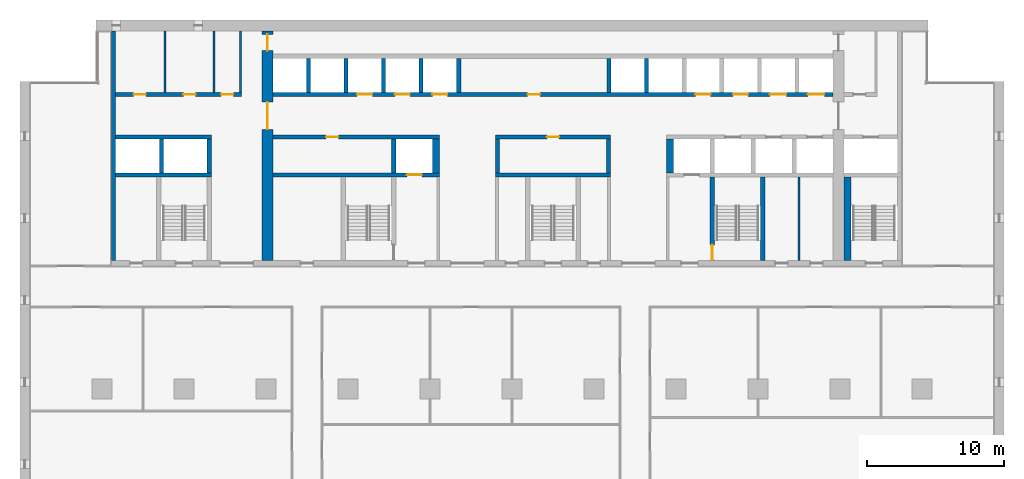
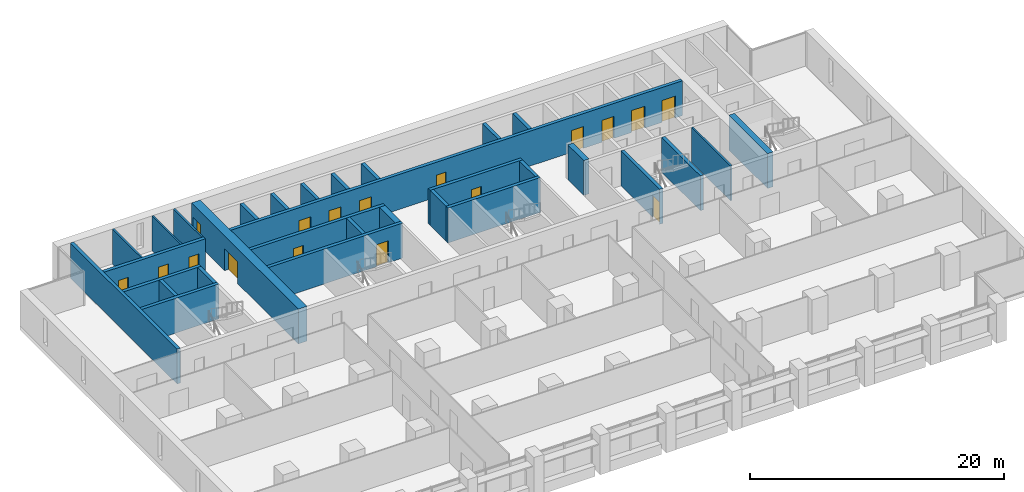
# One storey, part 10 of 17: 31 walls, 17 doors, 17 openings.
"""IFC4 building model written with IfcOpenShell, lengths in metres."""

from ifc_helpers import new_model, si_unit, direction, frame, frame_2d, origin, place, context, subcontext, project, spatial, rectangle, extrude, material, layer, layer_set, type_object, element, fill, save


model = new_model("IFC4")

# Units and contexts
model_context = context("Model", 3, precision=1e-05, world=origin(), true_north=direction((0.0, 1.0)))
body_context = subcontext(model_context, "Body", "Model", "MODEL_VIEW")
ifc_project = project(units=[si_unit("LENGTHUNIT", "METRE"), si_unit("AREAUNIT", "SQUARE_METRE"), si_unit("VOLUMEUNIT", "CUBIC_METRE"), si_unit("PLANEANGLEUNIT", "RADIAN"), si_unit("MASSUNIT", "GRAM", prefix="KILO")], contexts=[model_context])

# Site, building, storey
site_placement = place(None, origin())
site = spatial("IfcSite", under=ifc_project, at=site_placement, CompositionType="ELEMENT")
building_placement = place(site_placement, origin())
building = spatial("IfcBuilding", under=site, at=building_placement, Name="Calvaro Tower", CompositionType="ELEMENT")
storey_placement = place(building_placement, frame((0.0, 0.0, 98.75)))
storey = spatial("IfcBuildingStorey", under=building, at=storey_placement, Name="L24", CompositionType="ELEMENT", Elevation=98.75)

# Walls
ifc_material_1 = material(Name="Blockwork partition", Category="masonry")
ifc_layer_1 = layer(ifc_material_1, 0.14990234375)
ifc_layer_set_1 = layer_set([ifc_layer_1], Name="Blockwork partition")
wall_type_1 = type_object("IfcWallType", Name="Core partition 150 EI 60", PredefinedType="PARTITIONING", material=ifc_layer_set_1)
wall_1_placement = place(storey_placement, frame((57.0, 28.39990234375, 0.0), z_axis=(0.0, 0.0, 1.0), x_axis=(0.0, 1.0, 0.0)))
element("IfcWall", 1, at=wall_1_placement, inside=storey, type_object=wall_type_1, Name="Core partition", PredefinedType="PARTITIONING", context=body_context, shape_type="SweptSolid", body=[
    extrude(rectangle(XDim=6.10009765625, YDim=0.14990234375, at=frame_2d((3.050048828125, 0.0))), origin(), (0.0, 0.0, 1.0), 3.35009765625),
])
for number, where, z_axis, x_axis, name in (
    (2, (10.60009765625, 40.699951171875, 0.0), (0.0, 0.0, 1.0), (0.0, 1.0, 0.0), "Core partition"),
    (3, (14.199951171875, 40.699951171875, 0.0), (0.0, 0.0, 1.0), (0.0, 1.0, 0.0), "Core partition"),
):
    element("IfcWall", number, at=place(storey_placement, frame(where, z_axis=z_axis, x_axis=x_axis)), inside=storey, type_object=wall_type_1, Name=name, PredefinedType="PARTITIONING", context=body_context, shape_type="SweptSolid", body=[
        extrude(rectangle(XDim=4.5, YDim=0.14990234375, at=frame_2d((2.25, 0.0))), origin(), (0.0, 0.0, 1.0), 3.35009765625),
    ])
ifc_material_2 = material(Name="Blockwork partition", Category="masonry")
ifc_layer_2 = layer(ifc_material_2, 0.14990234375)
ifc_layer_set_2 = layer_set([ifc_layer_2], Name="Blockwork partition")
wall_type_2 = type_object("IfcWallType", Name="Core partition 150 REI 120", PredefinedType="PARTITIONING", material=ifc_layer_set_2)
wall_2_placement = place(storey_placement, frame((16.125, 40.699951171875, 0.0), z_axis=(0.0, 0.0, 1.0), x_axis=(0.0, 1.0, 0.0)))
element("IfcWall", 4, at=wall_2_placement, inside=storey, type_object=wall_type_2, Name="Core partition", PredefinedType="PARTITIONING", context=body_context, shape_type="SweptSolid", body=[
    extrude(rectangle(XDim=4.5, YDim=0.14990234375, at=frame_2d((2.25, 0.0))), origin(), (0.0, 0.0, 1.0), 3.35009765625),
])

# Wall, openings, doors
ifc_material_3 = material(Name="Blockwork partition", Category="masonry")
ifc_layer_3 = layer(ifc_material_3, 0.300048828125)
ifc_layer_set_3 = layer_set([ifc_layer_3], Name="Blockwork partition")
wall_type_3 = type_object("IfcWallType", Name="Core partition 300 REI 120", PredefinedType="PARTITIONING", material=ifc_layer_set_3)
wall_3_placement = place(storey_placement, frame((7.0, 40.550048828125, 0.0), z_axis=(0.0, 0.0, 1.0), x_axis=(1.0, 0.0, 0.0)))
wall_3 = element("IfcWall", 5, at=wall_3_placement, inside=storey, type_object=wall_type_3, Name="Core partition", PredefinedType="PARTITIONING", context=body_context, shape_type="SweptSolid", body=[
    extrude(rectangle(XDim=9.199951171875, YDim=0.300048828125, at=frame_2d((4.60009765625, 0.0))), origin(), (0.0, 0.0, 1.0), 3.35009765625),
])
opening_1_placement = place(wall_3_placement, frame((1.3125, 0.0, 0.0)))
opening_1 = element("IfcOpeningElement", 6, at=opening_1_placement, cuts=wall_3, Name="Opening RD9", PredefinedType="OPENING", context=body_context, shape_type="SweptSolid", body=[
    extrude(rectangle(XDim=0.89990234375, YDim=2.10009765625, at=frame_2d((0.449951171875, 1.050048828125))), frame((0.0, 0.159912109375, 0.0), z_axis=(0.0, -1.0, 0.0), x_axis=(1.0, 0.0, 0.0)), (0.0, 0.0, 1.0), 0.320068359375),
])
opening_2_placement = place(wall_3_placement, frame((4.949951171875, 0.0, 0.0)))
opening_2 = element("IfcOpeningElement", 7, at=opening_2_placement, cuts=wall_3, Name="Opening RD9", PredefinedType="OPENING", context=body_context, shape_type="SweptSolid", body=[
    extrude(rectangle(XDim=0.89990234375, YDim=2.10009765625, at=frame_2d((0.449951171875, 1.050048828125))), frame((0.0, 0.159912109375, 0.0), z_axis=(0.0, -1.0, 0.0), x_axis=(1.0, 0.0, 0.0)), (0.0, 0.0, 1.0), 0.320068359375),
])
opening_3_placement = place(wall_3_placement, frame((7.71240234375, 0.0, 0.0)))
opening_3 = element("IfcOpeningElement", 8, at=opening_3_placement, cuts=wall_3, Name="Opening RD9", PredefinedType="OPENING", context=body_context, shape_type="SweptSolid", body=[
    extrude(rectangle(XDim=0.89990234375, YDim=2.10009765625, at=frame_2d((0.449951171875, 1.050048828125))), frame((0.0, 0.159912109375, 0.0), z_axis=(0.0, -1.0, 0.0), x_axis=(1.0, 0.0, 0.0)), (0.0, 0.0, 1.0), 0.320068359375),
])
ifc_material_4 = material(Name="Steel door set", Category="steel")
door_type_1 = type_object("IfcDoorType", Name="Room door 900", OperationType="SINGLE_SWING_LEFT", PredefinedType="DOOR", material=ifc_material_4)
door_1_placement = place(opening_1_placement, origin())
door_1 = element("IfcDoor", 9, at=door_1_placement, inside=storey, type_object=door_type_1, Name="Room door", OperationType="SINGLE_SWING_LEFT", OverallHeight=2.10009765625, OverallWidth=0.89990234375, PredefinedType="DOOR", context=body_context, shape_type="SweptSolid", body=[
    extrude(rectangle(XDim=0.89990234375, YDim=2.10009765625, at=frame_2d((0.449951171875, 1.050048828125))), frame((0.0, 0.02490234375, 0.0), z_axis=(0.0, -1.0, 0.0), x_axis=(1.0, 0.0, 0.0)), (0.0, 0.0, 1.0), 0.050048828125),
])
fill(opening_1, door_1)
door_2_placement = place(opening_2_placement, origin())
door_2 = element("IfcDoor", 10, at=door_2_placement, inside=storey, type_object=door_type_1, Name="Room door", OperationType="SINGLE_SWING_LEFT", OverallHeight=2.10009765625, OverallWidth=0.89990234375, PredefinedType="DOOR", context=body_context, shape_type="SweptSolid", body=[
    extrude(rectangle(XDim=0.89990234375, YDim=2.10009765625, at=frame_2d((0.449951171875, 1.050048828125))), frame((0.0, 0.02490234375, 0.0), z_axis=(0.0, -1.0, 0.0), x_axis=(1.0, 0.0, 0.0)), (0.0, 0.0, 1.0), 0.050048828125),
])
fill(opening_2, door_2)
door_3_placement = place(opening_3_placement, origin())
door_3 = element("IfcDoor", 11, at=door_3_placement, inside=storey, type_object=door_type_1, Name="Room door", OperationType="SINGLE_SWING_LEFT", OverallHeight=2.10009765625, OverallWidth=0.89990234375, PredefinedType="DOOR", context=body_context, shape_type="SweptSolid", body=[
    extrude(rectangle(XDim=0.89990234375, YDim=2.10009765625, at=frame_2d((0.449951171875, 1.050048828125))), frame((0.0, 0.02490234375, 0.0), z_axis=(0.0, -1.0, 0.0), x_axis=(1.0, 0.0, 0.0)), (0.0, 0.0, 1.0), 0.050048828125),
])
fill(opening_3, door_3)

# Wall
ifc_material_5 = material(Name="Concrete C60/75", Category="concrete")
ifc_layer_4 = layer(ifc_material_5, 0.300048828125)
ifc_layer_set_4 = layer_set([ifc_layer_4], Name="Concrete C60/75")
wall_type_4 = type_object("IfcWallType", Name="Core wall C60/75 300", PredefinedType="SHEAR", material=ifc_layer_set_4)
wall_4_placement = place(storey_placement, frame((6.85009765625, 28.39990234375, 0.0), z_axis=(0.0, 0.0, 1.0), x_axis=(0.0, 1.0, 0.0)))
element("IfcWall", 12, at=wall_4_placement, inside=storey, type_object=wall_type_4, Name="Core wall, boundary", PredefinedType="SHEAR", context=body_context, shape_type="SweptSolid", body=[
    extrude(rectangle(XDim=16.800048828125, YDim=0.300048828125, at=frame_2d((8.39990234375, 0.0))), origin(), (0.0, 0.0, 1.0), 3.35009765625),
])

# Wall, opening, door
wall_5_placement = place(storey_placement, frame((50.64990234375, 34.5, 0.0), z_axis=(0.0, 0.0, 1.0), x_axis=(0.0, -1.0, 0.0)))
wall_5 = element("IfcWall", 13, at=wall_5_placement, inside=storey, type_object=wall_type_4, Name="Core wall, stair enclosure", PredefinedType="SHEAR", context=body_context, shape_type="SweptSolid", body=[
    extrude(rectangle(XDim=6.10009765625, YDim=0.300048828125, at=frame_2d((3.050048828125, 0.0))), origin(), (0.0, 0.0, 1.0), 3.35009765625),
])
opening_4_placement = place(wall_5_placement, frame((4.949951171875, 0.0, 0.0)))
opening_4 = element("IfcOpeningElement", 14, at=opening_4_placement, cuts=wall_5, Name="Opening FD11D", PredefinedType="OPENING", context=body_context, shape_type="SweptSolid", body=[
    extrude(rectangle(XDim=1.10009765625, YDim=2.10009765625, at=frame_2d((0.550048828125, 1.050048828125))), frame((0.0, 0.159912109375, 0.0), z_axis=(0.0, -1.0, 0.0), x_axis=(1.0, 0.0, 0.0)), (0.0, 0.0, 1.0), 0.320068359375),
])
ifc_material_6 = material(Name="Steel door set", Category="steel")
door_type_2 = type_object("IfcDoorType", Name="Fire door 1100 FD30S", OperationType="SINGLE_SWING_LEFT", PredefinedType="DOOR", material=ifc_material_6)
door_4_placement = place(opening_4_placement, origin())
door_4 = element("IfcDoor", 15, at=door_4_placement, inside=storey, type_object=door_type_2, Name="Fire door", OperationType="SINGLE_SWING_RIGHT", OverallHeight=2.10009765625, OverallWidth=1.10009765625, PredefinedType="DOOR", context=body_context, shape_type="SweptSolid", body=[
    extrude(rectangle(XDim=1.10009765625, YDim=2.10009765625, at=frame_2d((0.550048828125, 1.050048828125))), frame((0.0, 0.02490234375, 0.0), z_axis=(0.0, -1.0, 0.0), x_axis=(1.0, 0.0, 0.0)), (0.0, 0.0, 1.0), 0.050048828125),
])
fill(opening_4, door_4)

# Walls
wall_6_placement = place(storey_placement, frame((54.35009765625, 28.39990234375, 0.0), z_axis=(0.0, 0.0, 1.0), x_axis=(0.0, 1.0, 0.0)))
element("IfcWall", 16, at=wall_6_placement, inside=storey, type_object=wall_type_4, Name="Core wall, stair enclosure", PredefinedType="SHEAR", context=body_context, shape_type="SweptSolid", body=[
    extrude(rectangle(XDim=6.10009765625, YDim=0.300048828125, at=frame_2d((3.050048828125, 0.0))), origin(), (0.0, 0.0, 1.0), 3.35009765625),
])
wall_7_placement = place(storey_placement, frame((7.0, 34.64990234375, 0.0), z_axis=(0.0, 0.0, 1.0), x_axis=(1.0, 0.0, 0.0)))
element("IfcWall", 17, at=wall_7_placement, inside=storey, type_object=wall_type_4, Name="Core wall, lift shaft", PredefinedType="SHEAR", context=body_context, shape_type="SweptSolid", body=[
    extrude(rectangle(XDim=7.0, YDim=0.300048828125, at=frame_2d((3.5, 0.0))), origin(), (0.0, 0.0, 1.0), 3.35009765625),
])

# Wall, opening, door
wall_8_placement = place(storey_placement, frame((18.5, 34.64990234375, 0.0), z_axis=(0.0, 0.0, 1.0), x_axis=(1.0, 0.0, 0.0)))
wall_8 = element("IfcWall", 18, at=wall_8_placement, inside=storey, type_object=wall_type_4, Name="Core wall, lift shaft", PredefinedType="SHEAR", context=body_context, shape_type="SweptSolid", body=[
    extrude(rectangle(XDim=12.199951171875, YDim=0.300048828125, at=frame_2d((6.10009765625, 0.0))), origin(), (0.0, 0.0, 1.0), 3.35009765625),
])
opening_5_placement = place(wall_8_placement, frame((9.800048828125, 0.0, 0.0)))
opening_5 = element("IfcOpeningElement", 19, at=opening_5_placement, cuts=wall_8, Name="Opening FF1", PredefinedType="OPENING", context=body_context, shape_type="SweptSolid", body=[
    extrude(rectangle(XDim=1.10009765625, YDim=2.10009765625, at=frame_2d((0.550048828125, 1.050048828125))), frame((0.0, 0.159912109375, 0.0), z_axis=(0.0, -1.0, 0.0), x_axis=(1.0, 0.0, 0.0)), (0.0, 0.0, 1.0), 0.320068359375),
])
ifc_material_7 = material(Name="Stainless steel", Category="steel")
door_type_3 = type_object("IfcDoorType", Name="Landing door 1100 E 60", OperationType="SLIDING_TO_LEFT", PredefinedType="DOOR", material=ifc_material_7)
door_5_placement = place(opening_5_placement, origin())
door_5 = element("IfcDoor", 20, at=door_5_placement, inside=storey, type_object=door_type_3, Name="Landing door FF1", OperationType="SLIDING_TO_LEFT", OverallHeight=2.10009765625, OverallWidth=1.10009765625, PredefinedType="DOOR", context=body_context, shape_type="SweptSolid", body=[
    extrude(rectangle(XDim=1.10009765625, YDim=2.10009765625, at=frame_2d((0.550048828125, 1.050048828125))), frame((0.0, 0.02490234375, 0.0), z_axis=(0.0, -1.0, 0.0), x_axis=(1.0, 0.0, 0.0)), (0.0, 0.0, 1.0), 0.050048828125),
])
fill(opening_5, door_5)

# Walls
wall_9_placement = place(storey_placement, frame((34.800048828125, 34.64990234375, 0.0), z_axis=(0.0, 0.0, 1.0), x_axis=(1.0, 0.0, 0.0)))
element("IfcWall", 21, at=wall_9_placement, inside=storey, type_object=wall_type_4, Name="Core wall, lift shaft", PredefinedType="SHEAR", context=body_context, shape_type="SweptSolid", body=[
    extrude(rectangle(XDim=8.39990234375, YDim=0.300048828125, at=frame_2d((4.199951171875, 0.0))), origin(), (0.0, 0.0, 1.0), 3.35009765625),
])
wall_10_placement = place(storey_placement, frame((7.0, 37.449951171875, 0.0), z_axis=(0.0, 0.0, 1.0), x_axis=(1.0, 0.0, 0.0)))
element("IfcWall", 22, at=wall_10_placement, inside=storey, type_object=wall_type_4, Name="Core wall, lift shaft", PredefinedType="SHEAR", context=body_context, shape_type="SweptSolid", body=[
    extrude(rectangle(XDim=7.0, YDim=0.300048828125, at=frame_2d((3.5, 0.0))), origin(), (0.0, 0.0, 1.0), 3.35009765625),
])

# Wall, opening, door
wall_11_placement = place(storey_placement, frame((30.699951171875, 37.449951171875, 0.0), z_axis=(0.0, 0.0, 1.0), x_axis=(-1.0, 0.0, 0.0)))
wall_11 = element("IfcWall", 23, at=wall_11_placement, inside=storey, type_object=wall_type_4, Name="Core wall, bay", PredefinedType="SHEAR", context=body_context, shape_type="SweptSolid", body=[
    extrude(rectangle(XDim=12.199951171875, YDim=0.300048828125, at=frame_2d((6.10009765625, 0.0))), origin(), (0.0, 0.0, 1.0), 3.35009765625),
])
opening_6_placement = place(wall_11_placement, frame((7.39990234375, 0.0, 0.0)))
opening_6 = element("IfcOpeningElement", 24, at=opening_6_placement, cuts=wall_11, Name="Opening RD9E", PredefinedType="OPENING", context=body_context, shape_type="SweptSolid", body=[
    extrude(rectangle(XDim=0.89990234375, YDim=2.10009765625, at=frame_2d((0.449951171875, 1.050048828125))), frame((0.0, 0.159912109375, 0.0), z_axis=(0.0, -1.0, 0.0), x_axis=(1.0, 0.0, 0.0)), (0.0, 0.0, 1.0), 0.320068359375),
])
ifc_material_8 = material(Name="Steel door set", Category="steel")
door_type_4 = type_object("IfcDoorType", Name="Room door 900 FD60", OperationType="SINGLE_SWING_LEFT", PredefinedType="DOOR", material=ifc_material_8)
door_6_placement = place(opening_6_placement, origin())
door_6 = element("IfcDoor", 25, at=door_6_placement, inside=storey, type_object=door_type_4, Name="Room door", OperationType="SINGLE_SWING_LEFT", OverallHeight=2.10009765625, OverallWidth=0.89990234375, PredefinedType="DOOR", context=body_context, shape_type="SweptSolid", body=[
    extrude(rectangle(XDim=0.89990234375, YDim=2.10009765625, at=frame_2d((0.449951171875, 1.050048828125))), frame((0.0, 0.02490234375, 0.0), z_axis=(0.0, -1.0, 0.0), x_axis=(1.0, 0.0, 0.0)), (0.0, 0.0, 1.0), 0.050048828125),
])
fill(opening_6, door_6)

wall_12_placement = place(storey_placement, frame((43.199951171875, 37.449951171875, 0.0), z_axis=(0.0, 0.0, 1.0), x_axis=(-1.0, 0.0, 0.0)))
wall_12 = element("IfcWall", 26, at=wall_12_placement, inside=storey, type_object=wall_type_4, Name="Core wall, bay", PredefinedType="SHEAR", context=body_context, shape_type="SweptSolid", body=[
    extrude(rectangle(XDim=8.39990234375, YDim=0.300048828125, at=frame_2d((4.199951171875, 0.0))), origin(), (0.0, 0.0, 1.0), 3.35009765625),
])
opening_7_placement = place(wall_12_placement, frame((3.75, 0.0, 0.0)))
opening_7 = element("IfcOpeningElement", 27, at=opening_7_placement, cuts=wall_12, Name="Opening RD9E", PredefinedType="OPENING", context=body_context, shape_type="SweptSolid", body=[
    extrude(rectangle(XDim=0.89990234375, YDim=2.10009765625, at=frame_2d((0.449951171875, 1.050048828125))), frame((0.0, 0.159912109375, 0.0), z_axis=(0.0, -1.0, 0.0), x_axis=(1.0, 0.0, 0.0)), (0.0, 0.0, 1.0), 0.320068359375),
])
door_7_placement = place(opening_7_placement, origin())
door_7 = element("IfcDoor", 28, at=door_7_placement, inside=storey, type_object=door_type_4, Name="Room door", OperationType="SINGLE_SWING_RIGHT", OverallHeight=2.10009765625, OverallWidth=0.89990234375, PredefinedType="DOOR", context=body_context, shape_type="SweptSolid", body=[
    extrude(rectangle(XDim=0.89990234375, YDim=2.10009765625, at=frame_2d((0.449951171875, 1.050048828125))), frame((0.0, 0.02490234375, 0.0), z_axis=(0.0, -1.0, 0.0), x_axis=(1.0, 0.0, 0.0)), (0.0, 0.0, 1.0), 0.050048828125),
])
fill(opening_7, door_7)

# Walls
for number, where, z_axis, x_axis, name in (
    (29, (27.35009765625, 34.800048828125, 0.0), (0.0, 0.0, 1.0), (0.0, 1.0, 0.0), "Core wall, lift shaft"),
    (30, (34.949951171875, 34.800048828125, 0.0), (0.0, 0.0, 1.0), (0.0, 1.0, 0.0), "Core wall, lift shaft"),
    (31, (43.050048828125, 34.800048828125, 0.0), (0.0, 0.0, 1.0), (0.0, 1.0, 0.0), "Core wall, lift shaft"),
    (32, (13.85009765625, 34.800048828125, 0.0), (0.0, 0.0, 1.0), (0.0, 1.0, 0.0), "Core wall, lift shaft"),
):
    element("IfcWall", number, at=place(storey_placement, frame(where, z_axis=z_axis, x_axis=x_axis)), inside=storey, type_object=wall_type_4, Name=name, PredefinedType="SHEAR", context=body_context, shape_type="SweptSolid", body=[
        extrude(rectangle(XDim=2.5, YDim=0.300048828125, at=frame_2d((1.25, 0.0))), origin(), (0.0, 0.0, 1.0), 3.35009765625),
    ])

# Wall, openings, doors
wall_13_placement = place(storey_placement, frame((18.5, 40.550048828125, 0.0), z_axis=(0.0, 0.0, 1.0), x_axis=(1.0, 0.0, 0.0)))
wall_13 = element("IfcWall", 33, at=wall_13_placement, inside=storey, type_object=wall_type_4, Name="Core wall, bay", PredefinedType="SHEAR", context=body_context, shape_type="SweptSolid", body=[
    extrude(rectangle(XDim=41.0, YDim=0.300048828125, at=frame_2d((20.5, 0.0))), origin(), (0.0, 0.0, 1.0), 3.35009765625),
])
opening_8_placement = place(wall_13_placement, frame((18.64990234375, 0.0, 0.0)))
opening_8 = element("IfcOpeningElement", 34, at=opening_8_placement, cuts=wall_13, Name="Opening RD9E", PredefinedType="OPENING", context=body_context, shape_type="SweptSolid", body=[
    extrude(rectangle(XDim=0.89990234375, YDim=2.10009765625, at=frame_2d((0.449951171875, 1.050048828125))), frame((0.0, 0.159912109375, 0.0), z_axis=(0.0, -1.0, 0.0), x_axis=(1.0, 0.0, 0.0)), (0.0, 0.0, 1.0), 0.320068359375),
])
opening_9_placement = place(wall_13_placement, frame((6.175048828125, 0.0, 0.0)))
opening_9 = element("IfcOpeningElement", 35, at=opening_9_placement, cuts=wall_13, Name="Opening MR4", PredefinedType="OPENING", context=body_context, shape_type="SweptSolid", body=[
    extrude(rectangle(XDim=1.10009765625, YDim=2.10009765625, at=frame_2d((0.550048828125, 1.050048828125))), frame((0.0, 0.159912109375, 0.0), z_axis=(0.0, -1.0, 0.0), x_axis=(1.0, 0.0, 0.0)), (0.0, 0.0, 1.0), 0.320068359375),
])
opening_10_placement = place(wall_13_placement, frame((8.925048828125, 0.0, 0.0)))
opening_10 = element("IfcOpeningElement", 36, at=opening_10_placement, cuts=wall_13, Name="Opening MR5", PredefinedType="OPENING", context=body_context, shape_type="SweptSolid", body=[
    extrude(rectangle(XDim=1.10009765625, YDim=2.10009765625, at=frame_2d((0.550048828125, 1.050048828125))), frame((0.0, 0.159912109375, 0.0), z_axis=(0.0, -1.0, 0.0), x_axis=(1.0, 0.0, 0.0)), (0.0, 0.0, 1.0), 0.320068359375),
])
opening_11_placement = place(wall_13_placement, frame((11.675048828125, 0.0, 0.0)))
opening_11 = element("IfcOpeningElement", 37, at=opening_11_placement, cuts=wall_13, Name="Opening MR6", PredefinedType="OPENING", context=body_context, shape_type="SweptSolid", body=[
    extrude(rectangle(XDim=1.10009765625, YDim=2.10009765625, at=frame_2d((0.550048828125, 1.050048828125))), frame((0.0, 0.159912109375, 0.0), z_axis=(0.0, -1.0, 0.0), x_axis=(1.0, 0.0, 0.0)), (0.0, 0.0, 1.0), 0.320068359375),
])
opening_12_placement = place(wall_13_placement, frame((30.925048828125, 0.0, 0.0)))
opening_12 = element("IfcOpeningElement", 38, at=opening_12_placement, cuts=wall_13, Name="Opening MR7", PredefinedType="OPENING", context=body_context, shape_type="SweptSolid", body=[
    extrude(rectangle(XDim=1.10009765625, YDim=2.10009765625, at=frame_2d((0.550048828125, 1.050048828125))), frame((0.0, 0.159912109375, 0.0), z_axis=(0.0, -1.0, 0.0), x_axis=(1.0, 0.0, 0.0)), (0.0, 0.0, 1.0), 0.320068359375),
])
opening_13_placement = place(wall_13_placement, frame((33.675048828125, 0.0, 0.0)))
opening_13 = element("IfcOpeningElement", 39, at=opening_13_placement, cuts=wall_13, Name="Opening MR8", PredefinedType="OPENING", context=body_context, shape_type="SweptSolid", body=[
    extrude(rectangle(XDim=1.10009765625, YDim=2.10009765625, at=frame_2d((0.550048828125, 1.050048828125))), frame((0.0, 0.159912109375, 0.0), z_axis=(0.0, -1.0, 0.0), x_axis=(1.0, 0.0, 0.0)), (0.0, 0.0, 1.0), 0.320068359375),
])
opening_14_placement = place(wall_13_placement, frame((36.375, 0.0, 0.0)))
opening_14 = element("IfcOpeningElement", 40, at=opening_14_placement, cuts=wall_13, Name="Opening SV1", PredefinedType="OPENING", context=body_context, shape_type="SweptSolid", body=[
    extrude(rectangle(XDim=1.199951171875, YDim=2.10009765625, at=frame_2d((0.60009765625, 1.050048828125))), frame((0.0, 0.159912109375, 0.0), z_axis=(0.0, -1.0, 0.0), x_axis=(1.0, 0.0, 0.0)), (0.0, 0.0, 1.0), 0.320068359375),
])
opening_15_placement = place(wall_13_placement, frame((39.14990234375, 0.0, 0.0)))
opening_15 = element("IfcOpeningElement", 41, at=opening_15_placement, cuts=wall_13, Name="Opening SV2", PredefinedType="OPENING", context=body_context, shape_type="SweptSolid", body=[
    extrude(rectangle(XDim=1.199951171875, YDim=2.10009765625, at=frame_2d((0.60009765625, 1.050048828125))), frame((0.0, 0.159912109375, 0.0), z_axis=(0.0, -1.0, 0.0), x_axis=(1.0, 0.0, 0.0)), (0.0, 0.0, 1.0), 0.320068359375),
])
door_8_placement = place(opening_9_placement, origin())
door_8 = element("IfcDoor", 42, at=door_8_placement, inside=storey, type_object=door_type_3, Name="Landing door MR4", OperationType="SLIDING_TO_LEFT", OverallHeight=2.10009765625, OverallWidth=1.10009765625, PredefinedType="DOOR", context=body_context, shape_type="SweptSolid", body=[
    extrude(rectangle(XDim=1.10009765625, YDim=2.10009765625, at=frame_2d((0.550048828125, 1.050048828125))), frame((0.0, 0.02490234375, 0.0), z_axis=(0.0, -1.0, 0.0), x_axis=(1.0, 0.0, 0.0)), (0.0, 0.0, 1.0), 0.050048828125),
])
fill(opening_9, door_8)
door_9_placement = place(opening_10_placement, origin())
door_9 = element("IfcDoor", 43, at=door_9_placement, inside=storey, type_object=door_type_3, Name="Landing door MR5", OperationType="SLIDING_TO_LEFT", OverallHeight=2.10009765625, OverallWidth=1.10009765625, PredefinedType="DOOR", context=body_context, shape_type="SweptSolid", body=[
    extrude(rectangle(XDim=1.10009765625, YDim=2.10009765625, at=frame_2d((0.550048828125, 1.050048828125))), frame((0.0, 0.02490234375, 0.0), z_axis=(0.0, -1.0, 0.0), x_axis=(1.0, 0.0, 0.0)), (0.0, 0.0, 1.0), 0.050048828125),
])
fill(opening_10, door_9)
door_10_placement = place(opening_11_placement, origin())
door_10 = element("IfcDoor", 44, at=door_10_placement, inside=storey, type_object=door_type_3, Name="Landing door MR6", OperationType="SLIDING_TO_LEFT", OverallHeight=2.10009765625, OverallWidth=1.10009765625, PredefinedType="DOOR", context=body_context, shape_type="SweptSolid", body=[
    extrude(rectangle(XDim=1.10009765625, YDim=2.10009765625, at=frame_2d((0.550048828125, 1.050048828125))), frame((0.0, 0.02490234375, 0.0), z_axis=(0.0, -1.0, 0.0), x_axis=(1.0, 0.0, 0.0)), (0.0, 0.0, 1.0), 0.050048828125),
])
fill(opening_11, door_10)
door_11_placement = place(opening_12_placement, origin())
door_11 = element("IfcDoor", 45, at=door_11_placement, inside=storey, type_object=door_type_3, Name="Landing door MR7", OperationType="SLIDING_TO_LEFT", OverallHeight=2.10009765625, OverallWidth=1.10009765625, PredefinedType="DOOR", context=body_context, shape_type="SweptSolid", body=[
    extrude(rectangle(XDim=1.10009765625, YDim=2.10009765625, at=frame_2d((0.550048828125, 1.050048828125))), frame((0.0, 0.02490234375, 0.0), z_axis=(0.0, -1.0, 0.0), x_axis=(1.0, 0.0, 0.0)), (0.0, 0.0, 1.0), 0.050048828125),
])
fill(opening_12, door_11)
door_12_placement = place(opening_13_placement, origin())
door_12 = element("IfcDoor", 46, at=door_12_placement, inside=storey, type_object=door_type_3, Name="Landing door MR8", OperationType="SLIDING_TO_LEFT", OverallHeight=2.10009765625, OverallWidth=1.10009765625, PredefinedType="DOOR", context=body_context, shape_type="SweptSolid", body=[
    extrude(rectangle(XDim=1.10009765625, YDim=2.10009765625, at=frame_2d((0.550048828125, 1.050048828125))), frame((0.0, 0.02490234375, 0.0), z_axis=(0.0, -1.0, 0.0), x_axis=(1.0, 0.0, 0.0)), (0.0, 0.0, 1.0), 0.050048828125),
])
fill(opening_13, door_12)
ifc_material_9 = material(Name="Stainless steel", Category="steel")
door_type_5 = type_object("IfcDoorType", Name="Landing door 1200 E 60", OperationType="SLIDING_TO_LEFT", PredefinedType="DOOR", material=ifc_material_9)
door_13_placement = place(opening_14_placement, origin())
door_13 = element("IfcDoor", 47, at=door_13_placement, inside=storey, type_object=door_type_5, Name="Landing door SV1", OperationType="SLIDING_TO_LEFT", OverallHeight=2.10009765625, OverallWidth=1.199951171875, PredefinedType="DOOR", context=body_context, shape_type="SweptSolid", body=[
    extrude(rectangle(XDim=1.199951171875, YDim=2.10009765625, at=frame_2d((0.60009765625, 1.050048828125))), frame((0.0, 0.02490234375, 0.0), z_axis=(0.0, -1.0, 0.0), x_axis=(1.0, 0.0, 0.0)), (0.0, 0.0, 1.0), 0.050048828125),
])
fill(opening_14, door_13)
door_14_placement = place(opening_15_placement, origin())
door_14 = element("IfcDoor", 48, at=door_14_placement, inside=storey, type_object=door_type_5, Name="Landing door SV2", OperationType="SLIDING_TO_LEFT", OverallHeight=2.10009765625, OverallWidth=1.199951171875, PredefinedType="DOOR", context=body_context, shape_type="SweptSolid", body=[
    extrude(rectangle(XDim=1.199951171875, YDim=2.10009765625, at=frame_2d((0.60009765625, 1.050048828125))), frame((0.0, 0.02490234375, 0.0), z_axis=(0.0, -1.0, 0.0), x_axis=(1.0, 0.0, 0.0)), (0.0, 0.0, 1.0), 0.050048828125),
])
fill(opening_15, door_14)
door_15_placement = place(opening_8_placement, origin())
door_15 = element("IfcDoor", 49, at=door_15_placement, inside=storey, type_object=door_type_4, Name="Room door", OperationType="SINGLE_SWING_LEFT", OverallHeight=2.10009765625, OverallWidth=0.89990234375, PredefinedType="DOOR", context=body_context, shape_type="SweptSolid", body=[
    extrude(rectangle(XDim=0.89990234375, YDim=2.10009765625, at=frame_2d((0.449951171875, 1.050048828125))), frame((0.0, 0.02490234375, 0.0), z_axis=(0.0, -1.0, 0.0), x_axis=(1.0, 0.0, 0.0)), (0.0, 0.0, 1.0), 0.050048828125),
])
fill(opening_8, door_15)

# Walls
for number, where, z_axis, x_axis, name in (
    (50, (21.10009765625, 40.699951171875, 0.0), (0.0, 0.0, 1.0), (0.0, 1.0, 0.0), "Core wall, lift shaft"),
    (51, (23.85009765625, 40.699951171875, 0.0), (0.0, 0.0, 1.0), (0.0, 1.0, 0.0), "Core wall, lift shaft"),
    (52, (26.60009765625, 40.699951171875, 0.0), (0.0, 0.0, 1.0), (0.0, 1.0, 0.0), "Core wall, lift shaft"),
    (53, (29.35009765625, 40.699951171875, 0.0), (0.0, 0.0, 1.0), (0.0, 1.0, 0.0), "Core wall, lift shaft"),
    (54, (32.10009765625, 40.699951171875, 0.0), (0.0, 0.0, 1.0), (0.0, 1.0, 0.0), "Core wall, lift shaft"),
    (55, (43.10009765625, 40.699951171875, 0.0), (0.0, 0.0, 1.0), (0.0, 1.0, 0.0), "Core wall, lift shaft"),
    (56, (45.85009765625, 40.699951171875, 0.0), (0.0, 0.0, 1.0), (0.0, 1.0, 0.0), "Core wall, lift shaft"),
    (57, (10.35009765625, 34.800048828125, 0.0), (0.0, 0.0, 1.0), (0.0, 1.0, 0.0), "Core wall, lift shaft"),
):
    element("IfcWall", number, at=place(storey_placement, frame(where, z_axis=z_axis, x_axis=x_axis)), inside=storey, type_object=wall_type_4, Name=name, PredefinedType="SHEAR", context=body_context, shape_type="SweptSolid", body=[
        extrude(rectangle(XDim=2.5, YDim=0.300048828125, at=frame_2d((1.25, 0.0))), origin(), (0.0, 0.0, 1.0), 3.35009765625),
    ])
ifc_material_10 = material(Name="Concrete C60/75", Category="concrete")
ifc_layer_5 = layer(ifc_material_10, 0.5)
ifc_layer_set_5 = layer_set([ifc_layer_5], Name="Concrete C60/75")
wall_type_5 = type_object("IfcWallType", Name="Core wall C60/75 500", PredefinedType="SHEAR", material=ifc_layer_set_5)
wall_14_placement = place(storey_placement, frame((60.550048828125, 28.39990234375, 0.0), z_axis=(0.0, 0.0, 1.0), x_axis=(0.0, 1.0, 0.0)))
element("IfcWall", 58, at=wall_14_placement, inside=storey, type_object=wall_type_5, Name="Core wall, stair enclosure", PredefinedType="SHEAR", context=body_context, shape_type="SweptSolid", body=[
    extrude(rectangle(XDim=6.10009765625, YDim=0.5, at=frame_2d((3.050048828125, 0.0))), origin(), (0.0, 0.0, 1.0), 3.35009765625),
])
for number, where, z_axis, x_axis, name in (
    (59, (30.449951171875, 34.800048828125, 0.0), (0.0, 0.0, 1.0), (0.0, 1.0, 0.0), "Core wall, lift shaft"),
    (60, (47.550048828125, 34.800048828125, 0.0), (0.0, 0.0, 1.0), (0.0, 1.0, 0.0), "Core wall, lift shaft"),
):
    element("IfcWall", number, at=place(storey_placement, frame(where, z_axis=z_axis, x_axis=x_axis)), inside=storey, type_object=wall_type_5, Name=name, PredefinedType="SHEAR", context=body_context, shape_type="SweptSolid", body=[
        extrude(rectangle(XDim=2.5, YDim=0.5, at=frame_2d((1.25, 0.0))), origin(), (0.0, 0.0, 1.0), 3.35009765625),
    ])

# Wall, openings, doors
ifc_material_11 = material(Name="Concrete C60/75", Category="concrete")
ifc_layer_6 = layer(ifc_material_11, 0.800048828125)
ifc_layer_set_6 = layer_set([ifc_layer_6], Name="Concrete C60/75")
wall_type_6 = type_object("IfcWallType", Name="Core wall C60/75 800", PredefinedType="SHEAR", material=ifc_layer_set_6)
wall_15_placement = place(storey_placement, frame((18.10009765625, 28.39990234375, 0.0), z_axis=(0.0, 0.0, 1.0), x_axis=(0.0, 1.0, 0.0)))
wall_15 = element("IfcWall", 61, at=wall_15_placement, inside=storey, type_object=wall_type_6, Name="Core wall, cross shear wall", PredefinedType="SHEAR", context=body_context, shape_type="SweptSolid", body=[
    extrude(rectangle(XDim=16.800048828125, YDim=0.800048828125, at=frame_2d((8.39990234375, 0.0))), origin(), (0.0, 0.0, 1.0), 3.35009765625),
])
opening_16_placement = place(wall_15_placement, frame((9.60009765625, 0.0, 0.0)))
opening_16 = element("IfcOpeningElement", 62, at=opening_16_placement, cuts=wall_15, Name="Opening DD20D", PredefinedType="OPENING", context=body_context, shape_type="SweptSolid", body=[
    extrude(rectangle(XDim=2.0, YDim=2.10009765625, at=frame_2d((1.0, 1.050048828125))), frame((0.0, 0.409912109375, 0.0), z_axis=(0.0, -1.0, 0.0), x_axis=(1.0, 0.0, 0.0)), (0.0, 0.0, 1.0), 0.820068359375),
])
opening_17_placement = place(wall_15_placement, frame((15.35009765625, 0.0, 0.0)))
opening_17 = element("IfcOpeningElement", 63, at=opening_17_placement, cuts=wall_15, Name="Opening FD12C", PredefinedType="OPENING", context=body_context, shape_type="SweptSolid", body=[
    extrude(rectangle(XDim=1.199951171875, YDim=2.10009765625, at=frame_2d((0.60009765625, 1.050048828125))), frame((0.0, 0.409912109375, 0.0), z_axis=(0.0, -1.0, 0.0), x_axis=(1.0, 0.0, 0.0)), (0.0, 0.0, 1.0), 0.820068359375),
])
ifc_material_12 = material(Name="Steel door set", Category="steel")
door_type_6 = type_object("IfcDoorType", Name="Fire door 1200 FD30", OperationType="SINGLE_SWING_LEFT", PredefinedType="DOOR", material=ifc_material_12)
door_16_placement = place(opening_17_placement, origin())
door_16 = element("IfcDoor", 64, at=door_16_placement, inside=storey, type_object=door_type_6, Name="Fire door", OperationType="SINGLE_SWING_LEFT", OverallHeight=2.10009765625, OverallWidth=1.199951171875, PredefinedType="DOOR", context=body_context, shape_type="SweptSolid", body=[
    extrude(rectangle(XDim=1.199951171875, YDim=2.10009765625, at=frame_2d((0.60009765625, 1.050048828125))), frame((0.0, 0.02490234375, 0.0), z_axis=(0.0, -1.0, 0.0), x_axis=(1.0, 0.0, 0.0)), (0.0, 0.0, 1.0), 0.050048828125),
])
fill(opening_17, door_16)
ifc_material_13 = material(Name="Steel door set", Category="steel")
door_type_7 = type_object("IfcDoorType", Name="Lobby double door 2000 FD30S", OperationType="DOUBLE_DOOR_SINGLE_SWING", PredefinedType="DOOR", material=ifc_material_13)
door_17_placement = place(opening_16_placement, origin())
door_17 = element("IfcDoor", 65, at=door_17_placement, inside=storey, type_object=door_type_7, Name="Lobby double door", OperationType="DOUBLE_DOOR_SINGLE_SWING", OverallHeight=2.10009765625, OverallWidth=2.0, PredefinedType="DOOR", context=body_context, shape_type="SweptSolid", body=[
    extrude(rectangle(XDim=2.0, YDim=2.10009765625, at=frame_2d((1.0, 1.050048828125))), frame((0.0, 0.02490234375, 0.0), z_axis=(0.0, -1.0, 0.0), x_axis=(1.0, 0.0, 0.0)), (0.0, 0.0, 1.0), 0.050048828125),
])
fill(opening_16, door_17)

save(model, "model.ifc")
